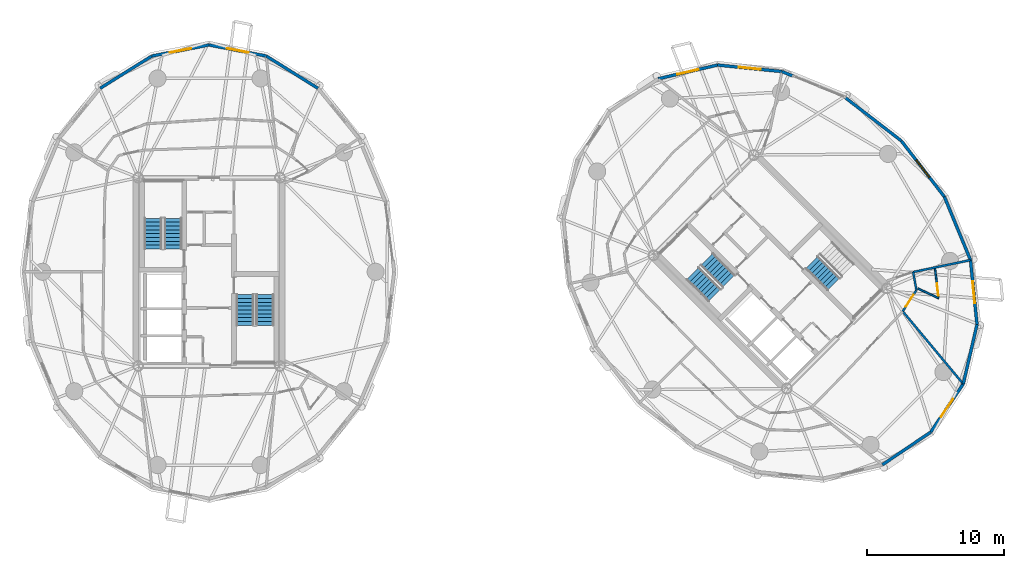
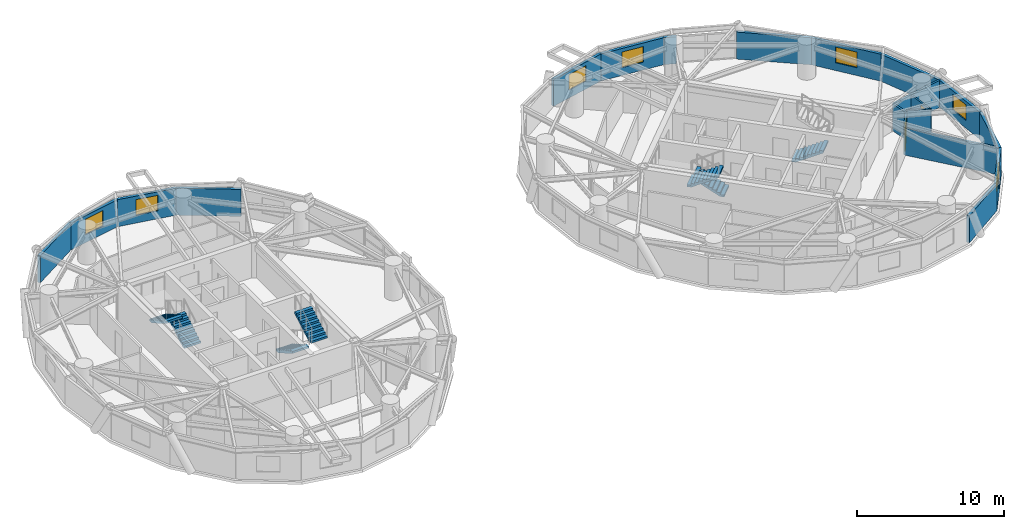
# One storey, part 14 of 17: 20 walls, 7 stair flights, 7 windows, 2 doors, 9 openings, 4 elements without a shape of their own.
"""IFC4 building model written with IfcOpenShell, lengths in metres."""

from ifc_helpers import new_model, si_unit, direction, frame, frame_2d, origin, place, context, subcontext, project, spatial, polyline, rectangle, outline, extrude, source, transform, mapped, material, layer, layer_set, type_object, element, fill, aggregate, save


model = new_model("IFC4")

# Units and contexts
model_context = context("Model", 3, precision=1e-05, world=origin(), true_north=direction((0.0, 1.0)))
body_context = subcontext(model_context, "Body", "Model", "MODEL_VIEW")
ifc_project = project(units=[si_unit("LENGTHUNIT", "METRE"), si_unit("AREAUNIT", "SQUARE_METRE"), si_unit("VOLUMEUNIT", "CUBIC_METRE"), si_unit("PLANEANGLEUNIT", "RADIAN"), si_unit("MASSUNIT", "GRAM", prefix="KILO")], contexts=[model_context])

# Site, building, storey
site_placement = place(None, origin())
site = spatial("IfcSite", under=ifc_project, at=site_placement, CompositionType="ELEMENT")
building_placement = place(site_placement, origin())
building = spatial("IfcBuilding", under=site, at=building_placement, Name="Cununo Teusaquillo Station Towers", CompositionType="ELEMENT")
storey_placement = place(building_placement, frame((0.0, 0.0, 174.8798828125)))
storey = spatial("IfcBuildingStorey", under=building, at=storey_placement, Name="L55", CompositionType="ELEMENT", Elevation=174.8798828125)

# Wall
ifc_material_1 = material(Name="Precast concrete C40/50", Category="concrete")
ifc_layer_1 = layer(ifc_material_1, 0.219970703125)
ifc_layer_set_1 = layer_set([ifc_layer_1], Name="Precast concrete C40/50")
wall_type_1 = type_object("IfcWallType", Name="WL-EXT-220", PredefinedType="SOLIDWALL", material=ifc_layer_set_1)
wall_1_placement = place(storey_placement, frame((20.681396484375, 40.259033203125, 0.0), z_axis=(0.0, 0.0, 1.0), x_axis=(0.848399108042, -0.529357113368, 0.0)))
element("IfcWall", 1, at=wall_1_placement, inside=storey, type_object=wall_type_1, Name="L55 Tower A Exterior Facade Wall C03", PredefinedType="SOLIDWALL", context=body_context, shape_type="SweptSolid", body=[
    extrude(rectangle(XDim=4.446044921875, YDim=0.219970703125, at=frame_2d((2.22314453125, 0.0))), origin(), (0.0, 0.0, 1.0), 2.2451171875),
])

# Wall, opening, window
wall_2_placement = place(storey_placement, frame((16.5, 41.070068359375, 0.0), z_axis=(0.0, 0.0, 1.0), x_axis=(0.981703883443, -0.190413983815, 0.0)))
wall_2 = element("IfcWall", 2, at=wall_2_placement, inside=storey, type_object=wall_type_1, Name="L55 Tower A Exterior Facade Wall C04", PredefinedType="SOLIDWALL", context=body_context, shape_type="SweptSolid", body=[
    extrude(rectangle(XDim=4.25927734375, YDim=0.219970703125, at=frame_2d((2.129638671875, 0.0))), origin(), (0.0, 0.0, 1.0), 2.2451171875),
])
shared_shape_1 = source(origin(), body_context, "Body", "SweptSolid", [
    extrude(rectangle(XDim=1.60009765625, YDim=1.300048828125, at=frame_2d((0.800048828125, 0.64990234375))), frame((0.0, 0.119873046875, 0.0), z_axis=(0.0, -1.0, 0.0), x_axis=(1.0, 0.0, 0.0)), (0.0, 0.0, 1.0), 0.239990234375),
])
opening_1_placement = place(wall_2_placement, frame((1.330078125, 0.0, 0.64990234375)))
opening_1 = element("IfcOpeningElement", 3, at=opening_1_placement, cuts=wall_2, Name="Opening WN-03", PredefinedType="OPENING", context=body_context, shape_type="MappedRepresentation", body=[
    mapped(shared_shape_1, transform((0.0, 0.0, 0.0), x_axis=(1.0, 0.0, 0.0), y_axis=(0.0, 1.0, 0.0), z_axis=(0.0, 0.0, 1.0), scale=1.0)),
])
ifc_material_2 = material(Name="Ceramic-fritted dark low-E double glazing", Category="glass")
window_type = type_object("IfcWindowType", Name="WIN-CORN-1600", PartitioningType="SINGLE_PANEL", PredefinedType="WINDOW", material=ifc_material_2)
shared_shape_2 = source(origin(), body_context, "Body", "SweptSolid", [
    extrude(rectangle(XDim=1.60009765625, YDim=1.300048828125, at=frame_2d((0.800048828125, 0.64990234375))), frame((0.0, 0.030029296875, 0.0), z_axis=(0.0, -1.0, 0.0), x_axis=(1.0, 0.0, 0.0)), (0.0, 0.0, 1.0), 0.06005859375),
])
window_1_placement = place(opening_1_placement, origin())
window_1 = element("IfcWindow", 4, at=window_1_placement, inside=storey, type_object=window_type, Name="L55 Tower A Facade Window C04", OverallHeight=1.300048828125, OverallWidth=1.60009765625, PartitioningType="SINGLE_PANEL", PredefinedType="WINDOW", context=body_context, shape_type="MappedRepresentation", body=[
    mapped(shared_shape_2, transform((0.0, 0.0, 0.0), x_axis=(1.0, 0.0, 0.0), y_axis=(0.0, 1.0, 0.0), z_axis=(0.0, 0.0, 1.0), scale=1.0)),
])
fill(opening_1, window_1)

wall_3_placement = place(storey_placement, frame((12.318603515625, 40.259033203125, 0.0), z_axis=(0.0, 0.0, 1.0), x_axis=(0.981703883443, 0.190413983815, 0.0)))
wall_3 = element("IfcWall", 5, at=wall_3_placement, inside=storey, type_object=wall_type_1, Name="L55 Tower A Exterior Facade Wall C05", PredefinedType="SOLIDWALL", context=body_context, shape_type="SweptSolid", body=[
    extrude(rectangle(XDim=4.25927734375, YDim=0.219970703125, at=frame_2d((2.129638671875, 0.0))), origin(), (0.0, 0.0, 1.0), 2.2451171875),
])
opening_2_placement = place(wall_3_placement, frame((1.330078125, 0.0, 0.64990234375)))
opening_2 = element("IfcOpeningElement", 6, at=opening_2_placement, cuts=wall_3, Name="Opening WN-03", PredefinedType="OPENING", context=body_context, shape_type="MappedRepresentation", body=[
    mapped(shared_shape_1, transform((0.0, 0.0, 0.0), x_axis=(1.0, 0.0, 0.0), y_axis=(0.0, 1.0, 0.0), z_axis=(0.0, 0.0, 1.0), scale=1.0)),
])
window_2_placement = place(opening_2_placement, origin())
window_2 = element("IfcWindow", 7, at=window_2_placement, inside=storey, type_object=window_type, Name="L55 Tower A Facade Window C05", OverallHeight=1.300048828125, OverallWidth=1.60009765625, PartitioningType="SINGLE_PANEL", PredefinedType="WINDOW", context=body_context, shape_type="MappedRepresentation", body=[
    mapped(shared_shape_2, transform((0.0, 0.0, 0.0), x_axis=(1.0, 0.0, 0.0), y_axis=(0.0, 1.0, 0.0), z_axis=(0.0, 0.0, 1.0), scale=1.0)),
])
fill(opening_2, window_2)

# Walls
wall_4_placement = place(storey_placement, frame((8.546630859375, 37.905517578125, 0.0), z_axis=(0.0, 0.0, 1.0), x_axis=(0.848399108042, 0.529357113368, 0.0)))
element("IfcWall", 8, at=wall_4_placement, inside=storey, type_object=wall_type_1, Name="L55 Tower A Exterior Facade Wall C06", PredefinedType="SOLIDWALL", context=body_context, shape_type="SweptSolid", body=[
    extrude(rectangle(XDim=4.446044921875, YDim=0.219970703125, at=frame_2d((2.22314453125, 0.0))), origin(), (0.0, 0.0, 1.0), 2.2451171875),
])
wall_5_placement = place(storey_placement, frame((62.97900390625, 37.22021484375, 0.0), z_axis=(0.0, 0.0, 1.0), x_axis=(0.791962560189, -0.610569654715, 0.0)))
element("IfcWall", 9, at=wall_5_placement, inside=storey, type_object=wall_type_1, Name="L55 Tower B Exterior Facade Wall C00", PredefinedType="SOLIDWALL", context=body_context, shape_type="SweptSolid", body=[
    extrude(rectangle(XDim=5.162841796875, YDim=0.219970703125, at=frame_2d((2.58154296875, 0.0))), origin(), (0.0, 0.0, 1.0), 2.2451171875),
])
wall_6_placement = place(storey_placement, frame((58.353515625, 39.12744140625, 0.0), z_axis=(0.0, 0.0, 1.0), x_axis=(0.924556017656, -0.381046152345, 0.0)))
element("IfcWall", 10, at=wall_6_placement, inside=storey, type_object=wall_type_1, Name="L55 Tower B Column Pier Cladding Wall C01-PA", PredefinedType="SOLIDWALL", context=body_context, shape_type="SweptSolid", body=[
    extrude(rectangle(XDim=0.8701171875, YDim=0.219970703125, at=frame_2d((0.43505859375, 0.0))), origin(), (0.0, 0.0, 1.0), 2.2451171875),
])

# Wall, opening, window
wall_7_placement = place(storey_placement, frame((53.644775390625, 39.602783203125, 0.0), z_axis=(0.0, 0.0, 1.0), x_axis=(0.994943283129, -0.100438356004, 0.0)))
wall_7 = element("IfcWall", 11, at=wall_7_placement, inside=storey, type_object=wall_type_1, Name="L55 Tower B Exterior Facade Wall C02", PredefinedType="SOLIDWALL", context=body_context, shape_type="SweptSolid", body=[
    extrude(rectangle(XDim=4.732666015625, YDim=0.219970703125, at=frame_2d((2.3662109375, 0.0))), origin(), (0.0, 0.0, 1.0), 2.2451171875),
])
opening_3_placement = place(wall_7_placement, frame((1.56591796875, 0.0, 0.64990234375)))
opening_3 = element("IfcOpeningElement", 12, at=opening_3_placement, cuts=wall_7, Name="Opening WN-03", PredefinedType="OPENING", context=body_context, shape_type="MappedRepresentation", body=[
    mapped(shared_shape_1, transform((0.0, 0.0, 0.0), x_axis=(1.0, 0.0, 0.0), y_axis=(0.0, 1.0, 0.0), z_axis=(0.0, 0.0, 1.0), scale=1.0)),
])
window_3_placement = place(opening_3_placement, origin())
window_3 = element("IfcWindow", 13, at=window_3_placement, inside=storey, type_object=window_type, Name="L55 Tower B Facade Window C02", OverallHeight=1.300048828125, OverallWidth=1.60009765625, PartitioningType="SINGLE_PANEL", PredefinedType="WINDOW", context=body_context, shape_type="MappedRepresentation", body=[
    mapped(shared_shape_2, transform((0.0, 0.0, 0.0), x_axis=(1.0, 0.0, 0.0), y_axis=(0.0, 1.0, 0.0), z_axis=(0.0, 0.0, 1.0), scale=1.0)),
])
fill(opening_3, window_3)

wall_8_placement = place(storey_placement, frame((49.313232421875, 38.599853515625, 0.0), z_axis=(0.0, 0.0, 1.0), x_axis=(0.97422620202, 0.22557328587, 0.0)))
wall_8 = element("IfcWall", 14, at=wall_8_placement, inside=storey, type_object=wall_type_1, Name="L55 Tower B Exterior Facade Wall C03", PredefinedType="SOLIDWALL", context=body_context, shape_type="SweptSolid", body=[
    extrude(rectangle(XDim=4.446044921875, YDim=0.219970703125, at=frame_2d((2.22314453125, 0.0))), origin(), (0.0, 0.0, 1.0), 2.2451171875),
])
opening_4_placement = place(wall_8_placement, frame((1.423095703125, 0.0, 0.64990234375)))
opening_4 = element("IfcOpeningElement", 15, at=opening_4_placement, cuts=wall_8, Name="Opening WN-03", PredefinedType="OPENING", context=body_context, shape_type="MappedRepresentation", body=[
    mapped(shared_shape_1, transform((0.0, 0.0, 0.0), x_axis=(1.0, 0.0, 0.0), y_axis=(0.0, 1.0, 0.0), z_axis=(0.0, 0.0, 1.0), scale=1.0)),
])
window_4_placement = place(opening_4_placement, origin())
window_4 = element("IfcWindow", 16, at=window_4_placement, inside=storey, type_object=window_type, Name="L55 Tower B Facade Window C03", OverallHeight=1.300048828125, OverallWidth=1.60009765625, PartitioningType="SINGLE_PANEL", PredefinedType="WINDOW", context=body_context, shape_type="MappedRepresentation", body=[
    mapped(shared_shape_2, transform((0.0, 0.0, 0.0), x_axis=(1.0, 0.0, 0.0), y_axis=(0.0, 1.0, 0.0), z_axis=(0.0, 0.0, 1.0), scale=1.0)),
])
fill(opening_4, window_4)

# Wall
wall_9_placement = place(storey_placement, frame((69.216796875, 12.783203125, 0.0), z_axis=(0.0, 0.0, 1.0), x_axis=(-0.828817439852, -0.55951912514, 0.0)))
element("IfcWall", 17, at=wall_9_placement, inside=storey, type_object=wall_type_1, Name="L55 Tower B Exterior Facade Wall C14", PredefinedType="SOLIDWALL", context=body_context, shape_type="SweptSolid", body=[
    extrude(rectangle(XDim=4.259033203125, YDim=0.219970703125, at=frame_2d((2.12939453125, 0.0))), origin(), (0.0, 0.0, 1.0), 2.2451171875),
])

# Wall, opening, window
wall_10_placement = place(storey_placement, frame((71.599853515625, 16.313232421875, 0.0), z_axis=(0.0, 0.0, 1.0), x_axis=(-0.55951912514, -0.828817439852, 0.0)))
wall_10 = element("IfcWall", 18, at=wall_10_placement, inside=storey, type_object=wall_type_1, Name="L55 Tower B Exterior Facade Wall C15", PredefinedType="SOLIDWALL", context=body_context, shape_type="SweptSolid", body=[
    extrude(rectangle(XDim=4.259033203125, YDim=0.219970703125, at=frame_2d((2.12939453125, 0.0))), origin(), (0.0, 0.0, 1.0), 2.2451171875),
])
opening_5_placement = place(wall_10_placement, frame((1.330078125, 0.0, 0.64990234375)))
opening_5 = element("IfcOpeningElement", 19, at=opening_5_placement, cuts=wall_10, Name="Opening WN-03", PredefinedType="OPENING", context=body_context, shape_type="MappedRepresentation", body=[
    mapped(shared_shape_1, transform((0.0, 0.0, 0.0), x_axis=(1.0, 0.0, 0.0), y_axis=(0.0, 1.0, 0.0), z_axis=(0.0, 0.0, 1.0), scale=1.0)),
])
window_5_placement = place(opening_5_placement, origin())
window_5 = element("IfcWindow", 20, at=window_5_placement, inside=storey, type_object=window_type, Name="L55 Tower B Facade Window C15", OverallHeight=1.300048828125, OverallWidth=1.60009765625, PartitioningType="SINGLE_PANEL", PredefinedType="WINDOW", context=body_context, shape_type="MappedRepresentation", body=[
    mapped(shared_shape_2, transform((0.0, 0.0, 0.0), x_axis=(1.0, 0.0, 0.0), y_axis=(0.0, 1.0, 0.0), z_axis=(0.0, 0.0, 1.0), scale=1.0)),
])
fill(opening_5, window_5)

# Wall
wall_11_placement = place(storey_placement, frame((72.602783203125, 20.644775390625, 0.0), z_axis=(0.0, 0.0, 1.0), x_axis=(-0.22557328587, -0.97422620202, 0.0)))
element("IfcWall", 21, at=wall_11_placement, inside=storey, type_object=wall_type_1, Name="L55 Tower B Exterior Facade Wall C16", PredefinedType="SOLIDWALL", context=body_context, shape_type="SweptSolid", body=[
    extrude(rectangle(XDim=4.446044921875, YDim=0.219970703125, at=frame_2d((2.22314453125, 0.0))), origin(), (0.0, 0.0, 1.0), 2.2451171875),
])

# Wall, opening, window
wall_12_placement = place(storey_placement, frame((72.12744140625, 25.353515625, 0.0), z_axis=(0.0, 0.0, 1.0), x_axis=(0.100438356004, -0.994943283129, 0.0)))
wall_12 = element("IfcWall", 22, at=wall_12_placement, inside=storey, type_object=wall_type_1, Name="L55 Tower B Exterior Facade Wall C17", PredefinedType="SOLIDWALL", context=body_context, shape_type="SweptSolid", body=[
    extrude(rectangle(XDim=4.732666015625, YDim=0.219970703125, at=frame_2d((2.3662109375, 0.0))), origin(), (0.0, 0.0, 1.0), 2.2451171875),
])
opening_6_placement = place(wall_12_placement, frame((1.56591796875, 0.0, 0.64990234375)))
opening_6 = element("IfcOpeningElement", 23, at=opening_6_placement, cuts=wall_12, Name="Opening WN-03", PredefinedType="OPENING", context=body_context, shape_type="MappedRepresentation", body=[
    mapped(shared_shape_1, transform((0.0, 0.0, 0.0), x_axis=(1.0, 0.0, 0.0), y_axis=(0.0, 1.0, 0.0), z_axis=(0.0, 0.0, 1.0), scale=1.0)),
])
window_6_placement = place(opening_6_placement, origin())
window_6 = element("IfcWindow", 24, at=window_6_placement, inside=storey, type_object=window_type, Name="L55 Tower B Facade Window C17", OverallHeight=1.300048828125, OverallWidth=1.60009765625, PartitioningType="SINGLE_PANEL", PredefinedType="WINDOW", context=body_context, shape_type="MappedRepresentation", body=[
    mapped(shared_shape_2, transform((0.0, 0.0, 0.0), x_axis=(1.0, 0.0, 0.0), y_axis=(0.0, 1.0, 0.0), z_axis=(0.0, 0.0, 1.0), scale=1.0)),
])
fill(opening_6, window_6)

# Wall
wall_13_placement = place(storey_placement, frame((70.22021484375, 29.97900390625, 0.0), z_axis=(0.0, 0.0, 1.0), x_axis=(0.381196434348, -0.924494066201, 0.0)))
element("IfcWall", 25, at=wall_13_placement, inside=storey, type_object=wall_type_1, Name="L55 Tower B Exterior Facade Wall C18", PredefinedType="SOLIDWALL", context=body_context, shape_type="SweptSolid", body=[
    extrude(rectangle(XDim=5.003173828125, YDim=0.219970703125, at=frame_2d((2.50146484375, 0.0))), origin(), (0.0, 0.0, 1.0), 2.2451171875),
])

# Wall, opening, window
wall_14_placement = place(storey_placement, frame((67.06787109375, 34.06787109375, 0.0), z_axis=(0.0, 0.0, 1.0), x_axis=(0.610569654715, -0.791962560189, 0.0)))
wall_14 = element("IfcWall", 26, at=wall_14_placement, inside=storey, type_object=wall_type_1, Name="L55 Tower B Exterior Facade Wall C19", PredefinedType="SOLIDWALL", context=body_context, shape_type="SweptSolid", body=[
    extrude(rectangle(XDim=5.162841796875, YDim=0.219970703125, at=frame_2d((2.58154296875, 0.0))), origin(), (0.0, 0.0, 1.0), 2.2451171875),
])
opening_7_placement = place(wall_14_placement, frame((1.781982421875, 0.0, 0.64990234375)))
opening_7 = element("IfcOpeningElement", 27, at=opening_7_placement, cuts=wall_14, Name="Opening WN-03", PredefinedType="OPENING", context=body_context, shape_type="MappedRepresentation", body=[
    mapped(shared_shape_1, transform((0.0, 0.0, 0.0), x_axis=(1.0, 0.0, 0.0), y_axis=(0.0, 1.0, 0.0), z_axis=(0.0, 0.0, 1.0), scale=1.0)),
])
window_7_placement = place(opening_7_placement, origin())
window_7 = element("IfcWindow", 28, at=window_7_placement, inside=storey, type_object=window_type, Name="L55 Tower B Facade Window C19", OverallHeight=1.300048828125, OverallWidth=1.60009765625, PartitioningType="SINGLE_PANEL", PredefinedType="WINDOW", context=body_context, shape_type="MappedRepresentation", body=[
    mapped(shared_shape_2, transform((0.0, 0.0, 0.0), x_axis=(1.0, 0.0, 0.0), y_axis=(0.0, 1.0, 0.0), z_axis=(0.0, 0.0, 1.0), scale=1.0)),
])
fill(opening_7, window_7)

# Wall
ifc_material_3 = material(Name="Fire-rated gypsum plasterboard partition assembly", Category="gypsum")
ifc_layer_2 = layer(ifc_material_3, 0.125)
ifc_layer_set_2 = layer_set([ifc_layer_2], Name="Fire-rated gypsum plasterboard partition assembly")
wall_type_2 = type_object("IfcWallType", Name="WL-PART-125", PredefinedType="PARTITIONING", material=ifc_layer_set_2)
wall_15_placement = place(storey_placement, frame((68.274658203125, 23.27978515625, 0.0), z_axis=(0.0, 0.0, 1.0), x_axis=(0.906681243062, -0.421816457099, 0.0)))
element("IfcWall", 29, at=wall_15_placement, inside=storey, type_object=wall_type_2, Name="L55 Tower B S06 En-suite Side Wall", PredefinedType="PARTITIONING", context=body_context, shape_type="SweptSolid", body=[
    extrude(rectangle(XDim=1.688232421875, YDim=0.125, at=frame_2d((0.84423828125, 0.0))), origin(), (0.0, 0.0, 1.0), 2.31201171875),
])

# Wall, opening, door
wall_16_placement = place(storey_placement, frame((69.797119140625, 22.6328125, 0.0), z_axis=(0.0, 0.0, 1.0), x_axis=(-0.125234581717, 0.992127158958, 0.0)))
wall_16 = element("IfcWall", 30, at=wall_16_placement, inside=storey, type_object=wall_type_2, Name="L55 Tower B S06 En-suite Back Wall", PredefinedType="PARTITIONING", context=body_context, shape_type="SweptSolid", body=[
    extrude(rectangle(XDim=2.103515625, YDim=0.125, at=frame_2d((1.0517578125, 0.0))), origin(), (0.0, 0.0, 1.0), 2.2451171875),
])
shared_shape_3 = source(origin(), body_context, "Body", "SweptSolid", [
    extrude(rectangle(XDim=0.89990234375, YDim=2.0048828125, at=frame_2d((0.449951171875, 1.00244140625))), frame((0.0, 0.072509765625, 0.0), z_axis=(0.0, -1.0, 0.0), x_axis=(1.0, 0.0, 0.0)), (0.0, 0.0, 1.0), 0.14501953125),
])
opening_8_placement = place(wall_16_placement, frame((0.1201171875, 0.0, 0.0)))
opening_8 = element("IfcOpeningElement", 31, at=opening_8_placement, cuts=wall_16, Name="Opening D-IN1", PredefinedType="OPENING", context=body_context, shape_type="MappedRepresentation", body=[
    mapped(shared_shape_3, transform((0.0, 0.0, 0.0), x_axis=(1.0, 0.0, 0.0), y_axis=(0.0, 1.0, 0.0), z_axis=(0.0, 0.0, 1.0), scale=1.0)),
])
ifc_material_4 = material(Name="Acoustic solid-core hardwood leaf assembly", Category="wood")
door_type_1 = type_object("IfcDoorType", Name="DR-INT-900", OperationType="NOTDEFINED", PredefinedType="DOOR", material=ifc_material_4)
shared_shape_4 = source(origin(), body_context, "Body", "SweptSolid", [
    extrude(rectangle(XDim=0.89990234375, YDim=2.0048828125, at=frame_2d((0.449951171875, 1.00244140625))), frame((0.0, 0.02490234375, 0.0), z_axis=(0.0, -1.0, 0.0), x_axis=(1.0, 0.0, 0.0)), (0.0, 0.0, 1.0), 0.050048828125),
])
door_1_placement = place(opening_8_placement, origin())
door_1 = element("IfcDoor", 32, at=door_1_placement, inside=storey, type_object=door_type_1, Name="L55 Tower B S06 En-suite Bathroom Door", OperationType="SINGLE_SWING_LEFT", OverallHeight=2.0048828125, OverallWidth=0.89990234375, PredefinedType="DOOR", context=body_context, shape_type="MappedRepresentation", body=[
    mapped(shared_shape_4, transform((0.0, 0.0, 0.0), x_axis=(1.0, 0.0, 0.0), y_axis=(0.0, 1.0, 0.0), z_axis=(0.0, 0.0, 1.0), scale=1.0)),
])
fill(opening_8, door_1)

ifc_material_5 = material(Name="Fire-rated gypsum plasterboard partition assembly", Category="gypsum")
ifc_layer_3 = layer(ifc_material_5, 0.14990234375)
ifc_layer_set_3 = layer_set([ifc_layer_3], Name="Fire-rated gypsum plasterboard partition assembly")
wall_type_3 = type_object("IfcWallType", Name="WL-PART-150", PredefinedType="PARTITIONING", material=ifc_layer_set_3)
wall_17_placement = place(storey_placement, frame((67.17333984375, 21.6083984375, 0.0), z_axis=(0.0, 0.0, 1.0), x_axis=(0.544299403682, 0.838891029367, 0.0)))
wall_17 = element("IfcWall", 33, at=wall_17_placement, inside=storey, type_object=wall_type_3, Name="L55 Tower B Corridor Ring Wall C16", PredefinedType="PARTITIONING", context=body_context, shape_type="SweptSolid", body=[
    extrude(rectangle(XDim=1.843994140625, YDim=0.14990234375, at=frame_2d((0.921875, 0.0))), origin(), (0.0, 0.0, 1.0), 2.2451171875),
])
shared_shape_5 = source(origin(), body_context, "Body", "SweptSolid", [
    extrude(rectangle(XDim=1.050048828125, YDim=2.014892578125, at=frame_2d((0.52490234375, 1.00732421875))), frame((0.0, 0.0849609375, 0.0), z_axis=(0.0, -1.0, 0.0), x_axis=(1.0, 0.0, 0.0)), (0.0, 0.0, 1.0), 0.169921875),
])
opening_9_placement = place(wall_17_placement, frame((0.39697265625, 0.0, 0.0)))
opening_9 = element("IfcOpeningElement", 34, at=opening_9_placement, cuts=wall_17, Name="Opening D-SU1", PredefinedType="OPENING", context=body_context, shape_type="MappedRepresentation", body=[
    mapped(shared_shape_5, transform((0.0, 0.0, 0.0), x_axis=(1.0, 0.0, 0.0), y_axis=(0.0, 1.0, 0.0), z_axis=(0.0, 0.0, 1.0), scale=1.0)),
])
ifc_material_6 = material(Name="Acoustic solid-core hardwood leaf assembly", Category="wood")
door_type_2 = type_object("IfcDoorType", Name="DR-SUITE-1050", OperationType="NOTDEFINED", PredefinedType="DOOR", material=ifc_material_6)
shared_shape_6 = source(origin(), body_context, "Body", "SweptSolid", [
    extrude(rectangle(XDim=1.050048828125, YDim=2.014892578125, at=frame_2d((0.52490234375, 1.00732421875))), frame((0.0, 0.02490234375, 0.0), z_axis=(0.0, -1.0, 0.0), x_axis=(1.0, 0.0, 0.0)), (0.0, 0.0, 1.0), 0.050048828125),
])
door_2_placement = place(opening_9_placement, origin())
door_2 = element("IfcDoor", 35, at=door_2_placement, inside=storey, type_object=door_type_2, Name="L55 Tower B Diplomatic Crest Hotel Suite Entrance Door", OperationType="SINGLE_SWING_RIGHT", OverallHeight=2.014892578125, OverallWidth=1.050048828125, PredefinedType="DOOR", context=body_context, shape_type="MappedRepresentation", body=[
    mapped(shared_shape_6, transform((0.0, 0.0, 0.0), x_axis=(1.0, 0.0, 0.0), y_axis=(0.0, 1.0, 0.0), z_axis=(0.0, 0.0, 1.0), scale=1.0)),
])
fill(opening_9, door_2)

# Walls
wall_18_placement = place(storey_placement, frame((68.177001953125, 23.1552734375, 0.0), z_axis=(0.0, 0.0, 1.0), x_axis=(-0.1778483434, 0.98405790823, 0.0)))
element("IfcWall", 36, at=wall_18_placement, inside=storey, type_object=wall_type_3, Name="L55 Tower B Corridor Ring Wall C17", PredefinedType="PARTITIONING", context=body_context, shape_type="SweptSolid", body=[
    extrude(rectangle(XDim=1.3466796875, YDim=0.14990234375, at=frame_2d((0.67333984375, 0.0))), origin(), (0.0, 0.0, 1.0), 2.2451171875),
])
ifc_material_7 = material(Name="Fire-rated gypsum plasterboard partition assembly", Category="gypsum")
ifc_layer_4 = layer(ifc_material_7, 0.159912109375)
ifc_layer_set_4 = layer_set([ifc_layer_4], Name="Fire-rated gypsum plasterboard partition assembly")
wall_type_4 = type_object("IfcWallType", Name="WL-PART-160", PredefinedType="PARTITIONING", material=ifc_layer_set_4)
wall_19_placement = place(storey_placement, frame((67.17333984375, 21.6083984375, 0.0), z_axis=(0.0, 0.0, 1.0), x_axis=(0.64050880156, -0.767950828585, 0.0)))
element("IfcWall", 37, at=wall_19_placement, inside=storey, type_object=wall_type_4, Name="L55 Tower B Radial Suite Partition R06", PredefinedType="PARTITIONING", context=body_context, shape_type="SweptSolid", body=[
    extrude(rectangle(XDim=6.883056640625, YDim=0.159912109375, at=frame_2d((3.44140625, 0.0))), origin(), (0.0, 0.0, 1.0), 2.2451171875),
])
wall_20_placement = place(storey_placement, frame((67.9375, 24.48046875, 0.0), z_axis=(0.0, 0.0, 1.0), x_axis=(0.978917914143, 0.204254051051, 0.0)))
element("IfcWall", 38, at=wall_20_placement, inside=storey, type_object=wall_type_4, Name="L55 Tower B Radial Suite Partition R07", PredefinedType="PARTITIONING", context=body_context, shape_type="SweptSolid", body=[
    extrude(rectangle(XDim=4.260009765625, YDim=0.159912109375, at=frame_2d((2.1298828125, 0.0))), origin(), (0.0, 0.0, 1.0), 2.2451171875),
])

# Stair, stair flights
ifc_material_8 = material(Name="Concrete C50/60", Category="concrete")
stair_type = type_object("IfcStairType", Name="ST-TWR-1300", PredefinedType="HALF_TURN_STAIR", material=ifc_material_8)
stair_1_placement = place(storey_placement, origin())
stair_1 = element("IfcStair", 39, at=stair_1_placement, inside=storey, type_object=stair_type, Name="L55 Tower A Protected Core Exit Stair 1", PredefinedType="HALF_TURN_STAIR")
ifc_material_9 = material(Name="Concrete C50/60", Category="concrete")
stair_flight_type = type_object("IfcStairFlightType", Name="SFL-TWR-1300", PredefinedType="STRAIGHT", material=ifc_material_9)
stair_flight_1_placement = place(storey_placement, frame((13.8701171875, 26.169921875, 0.0), z_axis=(0.0, 0.0, 1.0), x_axis=(0.0, 1.0, 0.0)))
stair_flight_1 = element("IfcStairFlight", 40, at=stair_flight_1_placement, type_object=stair_flight_type, Name="ST-T1-1 flight 1", NumberOfRisers=9, NumberOfTreads=8, PredefinedType="STRAIGHT", RiserHeight=0.161666667, TreadLength=0.28, context=body_context, shape_type="SweptSolid", body=[
    extrude(outline(polyline([(0.0, 0.0), (0.0, 0.16162109375), (0.280029296875, 0.16162109375), (0.280029296875, 0.3232421875), (0.56005859375, 0.3232421875), (0.56005859375, 0.485107421875), (0.840087890625, 0.485107421875), (0.840087890625, 0.646728515625), (1.1201171875, 0.646728515625), (1.1201171875, 0.808349609375), (1.39990234375, 0.808349609375), (1.39990234375, 0.969970703125), (1.679931640625, 0.969970703125), (1.679931640625, 1.131591796875), (1.9599609375, 1.131591796875), (1.9599609375, 1.293212890625), (2.239990234375, 1.293212890625), (2.239990234375, 1.455078125), (2.239990234375, 1.1201171875), (0.2998046875, 0.0), (0.0, 0.0)])), frame((0.0, 0.64990234375, 0.0), z_axis=(0.0, -1.0, 0.0), x_axis=(1.0, 0.0, 0.0)), (0.0, 0.0, 1.0), 1.300048828125),
])
stair_flight_2_placement = place(storey_placement, frame((12.409912109375, 28.409912109375, 1.455078125), z_axis=(0.0, 0.0, 1.0), x_axis=(0.0, -1.0, 0.0)))
stair_flight_2 = element("IfcStairFlight", 41, at=stair_flight_2_placement, type_object=stair_flight_type, Name="ST-T1-1 flight 2", NumberOfRisers=9, NumberOfTreads=8, PredefinedType="STRAIGHT", RiserHeight=0.161666667, TreadLength=0.28, context=body_context, shape_type="SweptSolid", body=[
    extrude(outline(polyline([(0.0, 0.0), (0.0, 0.16162109375), (0.280029296875, 0.16162109375), (0.280029296875, 0.3232421875), (0.56005859375, 0.3232421875), (0.56005859375, 0.485107421875), (0.840087890625, 0.485107421875), (0.840087890625, 0.646728515625), (1.1201171875, 0.646728515625), (1.1201171875, 0.808349609375), (1.39990234375, 0.808349609375), (1.39990234375, 0.969970703125), (1.679931640625, 0.969970703125), (1.679931640625, 1.131591796875), (1.9599609375, 1.131591796875), (1.9599609375, 1.293212890625), (2.239990234375, 1.293212890625), (2.239990234375, 1.455078125), (2.239990234375, 1.1201171875), (0.2998046875, 0.0), (0.0, 0.0)])), frame((0.0, 0.64990234375, 0.0), z_axis=(0.0, -1.0, 0.0), x_axis=(1.0, 0.0, 0.0)), (0.0, 0.0, 1.0), 1.300048828125),
])
aggregate(stair_1, [stair_flight_1, stair_flight_2])

stair_2_placement = place(storey_placement, origin())
stair_2 = element("IfcStair", 42, at=stair_2_placement, inside=storey, type_object=stair_type, Name="L55 Tower A Protected Core Exit Stair 2", PredefinedType="HALF_TURN_STAIR")
stair_flight_3_placement = place(storey_placement, frame((19.1298828125, 22.830078125, 0.0), z_axis=(0.0, 0.0, 1.0), x_axis=(0.0, -1.0, 0.0)))
stair_flight_3 = element("IfcStairFlight", 43, at=stair_flight_3_placement, type_object=stair_flight_type, Name="ST-T1-2 flight 1", NumberOfRisers=9, NumberOfTreads=8, PredefinedType="STRAIGHT", RiserHeight=0.161666667, TreadLength=0.28, context=body_context, shape_type="SweptSolid", body=[
    extrude(outline(polyline([(0.0, 0.0), (0.0, 0.16162109375), (0.280029296875, 0.16162109375), (0.280029296875, 0.3232421875), (0.56005859375, 0.3232421875), (0.56005859375, 0.485107421875), (0.840087890625, 0.485107421875), (0.840087890625, 0.646728515625), (1.1201171875, 0.646728515625), (1.1201171875, 0.808349609375), (1.39990234375, 0.808349609375), (1.39990234375, 0.969970703125), (1.679931640625, 0.969970703125), (1.679931640625, 1.131591796875), (1.9599609375, 1.131591796875), (1.9599609375, 1.293212890625), (2.239990234375, 1.293212890625), (2.239990234375, 1.455078125), (2.239990234375, 1.1201171875), (0.2998046875, 0.0), (0.0, 0.0)])), frame((0.0, 0.64990234375, 0.0), z_axis=(0.0, -1.0, 0.0), x_axis=(1.0, 0.0, 0.0)), (0.0, 0.0, 1.0), 1.300048828125),
])
stair_flight_4_placement = place(storey_placement, frame((20.590087890625, 20.590087890625, 1.455078125), z_axis=(0.0, 0.0, 1.0), x_axis=(0.0, 1.0, 0.0)))
stair_flight_4 = element("IfcStairFlight", 44, at=stair_flight_4_placement, type_object=stair_flight_type, Name="ST-T1-2 flight 2", NumberOfRisers=9, NumberOfTreads=8, PredefinedType="STRAIGHT", RiserHeight=0.161666667, TreadLength=0.28, context=body_context, shape_type="SweptSolid", body=[
    extrude(outline(polyline([(0.0, 0.0), (0.0, 0.16162109375), (0.280029296875, 0.16162109375), (0.280029296875, 0.3232421875), (0.56005859375, 0.3232421875), (0.56005859375, 0.485107421875), (0.840087890625, 0.485107421875), (0.840087890625, 0.646728515625), (1.1201171875, 0.646728515625), (1.1201171875, 0.808349609375), (1.39990234375, 0.808349609375), (1.39990234375, 0.969970703125), (1.679931640625, 0.969970703125), (1.679931640625, 1.131591796875), (1.9599609375, 1.131591796875), (1.9599609375, 1.293212890625), (2.239990234375, 1.293212890625), (2.239990234375, 1.455078125), (2.239990234375, 1.1201171875), (0.2998046875, 0.0), (0.0, 0.0)])), frame((0.0, 0.64990234375, 0.0), z_axis=(0.0, -1.0, 0.0), x_axis=(1.0, 0.0, 0.0)), (0.0, 0.0, 1.0), 1.300048828125),
])
aggregate(stair_2, [stair_flight_3, stair_flight_4])

stair_3_placement = place(storey_placement, origin())
stair_3 = element("IfcStair", 45, at=stair_3_placement, inside=storey, type_object=stair_type, Name="L55 Tower B Protected Core Exit Stair 1", PredefinedType="HALF_TURN_STAIR")
stair_flight_5_placement = place(storey_placement, frame((54.45947265625, 23.8212890625, 0.0), z_axis=(0.0, 0.0, 1.0), x_axis=(-0.707106781187, 0.707106781187, 0.0)))
stair_flight_5 = element("IfcStairFlight", 46, at=stair_flight_5_placement, type_object=stair_flight_type, Name="ST-T2-1 flight 1", NumberOfRisers=9, NumberOfTreads=8, PredefinedType="STRAIGHT", RiserHeight=0.161666667, TreadLength=0.28, context=body_context, shape_type="SweptSolid", body=[
    extrude(outline(polyline([(0.0, 0.0), (0.0, 0.16162109375), (0.280029296875, 0.16162109375), (0.280029296875, 0.3232421875), (0.56005859375, 0.3232421875), (0.56005859375, 0.485107421875), (0.840087890625, 0.485107421875), (0.840087890625, 0.646728515625), (1.1201171875, 0.646728515625), (1.1201171875, 0.808349609375), (1.39990234375, 0.808349609375), (1.39990234375, 0.969970703125), (1.679931640625, 0.969970703125), (1.679931640625, 1.131591796875), (1.9599609375, 1.131591796875), (1.9599609375, 1.293212890625), (2.239990234375, 1.293212890625), (2.239990234375, 1.455078125), (2.239990234375, 1.1201171875), (0.2998046875, 0.0), (0.0, 0.0)])), frame((0.0, 0.64990234375, 0.0), z_axis=(0.0, -1.0, 0.0), x_axis=(1.0, 0.0, 0.0)), (0.0, 0.0, 1.0), 1.300048828125),
])
stair_flight_6_placement = place(storey_placement, frame((51.84326171875, 24.372802734375, 1.455078125), z_axis=(0.0, 0.0, 1.0), x_axis=(0.707106781187, -0.707106781187, 0.0)))
stair_flight_6 = element("IfcStairFlight", 47, at=stair_flight_6_placement, type_object=stair_flight_type, Name="ST-T2-1 flight 2", NumberOfRisers=9, NumberOfTreads=8, PredefinedType="STRAIGHT", RiserHeight=0.161666667, TreadLength=0.28, context=body_context, shape_type="SweptSolid", body=[
    extrude(outline(polyline([(0.0, 0.0), (0.0, 0.16162109375), (0.280029296875, 0.16162109375), (0.280029296875, 0.3232421875), (0.56005859375, 0.3232421875), (0.56005859375, 0.485107421875), (0.840087890625, 0.485107421875), (0.840087890625, 0.646728515625), (1.1201171875, 0.646728515625), (1.1201171875, 0.808349609375), (1.39990234375, 0.808349609375), (1.39990234375, 0.969970703125), (1.679931640625, 0.969970703125), (1.679931640625, 1.131591796875), (1.9599609375, 1.131591796875), (1.9599609375, 1.293212890625), (2.239990234375, 1.293212890625), (2.239990234375, 1.455078125), (2.239990234375, 1.1201171875), (0.2998046875, 0.0), (0.0, 0.0)])), frame((0.0, 0.64990234375, 0.0), z_axis=(0.0, -1.0, 0.0), x_axis=(1.0, 0.0, 0.0)), (0.0, 0.0, 1.0), 1.300048828125),
])
aggregate(stair_3, [stair_flight_5, stair_flight_6])

# Stair, stair flight
stair_4_placement = place(storey_placement, origin())
stair_4 = element("IfcStair", 48, at=stair_4_placement, inside=storey, type_object=stair_type, Name="L55 Tower B Protected Core Exit Stair 2", PredefinedType="HALF_TURN_STAIR")
stair_flight_7_placement = place(storey_placement, frame((60.54052734375, 25.1787109375, 0.0), z_axis=(0.0, 0.0, 1.0), x_axis=(0.707106781187, -0.707106781187, 0.0)))
stair_flight_7 = element("IfcStairFlight", 49, at=stair_flight_7_placement, type_object=stair_flight_type, Name="ST-T2-2 flight 1", NumberOfRisers=9, NumberOfTreads=8, PredefinedType="STRAIGHT", RiserHeight=0.161666667, TreadLength=0.28, context=body_context, shape_type="SweptSolid", body=[
    extrude(outline(polyline([(0.0, 0.0), (0.0, 0.16162109375), (0.280029296875, 0.16162109375), (0.280029296875, 0.3232421875), (0.56005859375, 0.3232421875), (0.56005859375, 0.485107421875), (0.840087890625, 0.485107421875), (0.840087890625, 0.646728515625), (1.1201171875, 0.646728515625), (1.1201171875, 0.808349609375), (1.39990234375, 0.808349609375), (1.39990234375, 0.969970703125), (1.679931640625, 0.969970703125), (1.679931640625, 1.131591796875), (1.9599609375, 1.131591796875), (1.9599609375, 1.293212890625), (2.239990234375, 1.293212890625), (2.239990234375, 1.455078125), (2.239990234375, 1.1201171875), (0.2998046875, 0.0), (0.0, 0.0)])), frame((0.0, 0.64990234375, 0.0), z_axis=(0.0, -1.0, 0.0), x_axis=(1.0, 0.0, 0.0)), (0.0, 0.0, 1.0), 1.300048828125),
])
aggregate(stair_4, [stair_flight_7])

save(model, "model.ifc")
